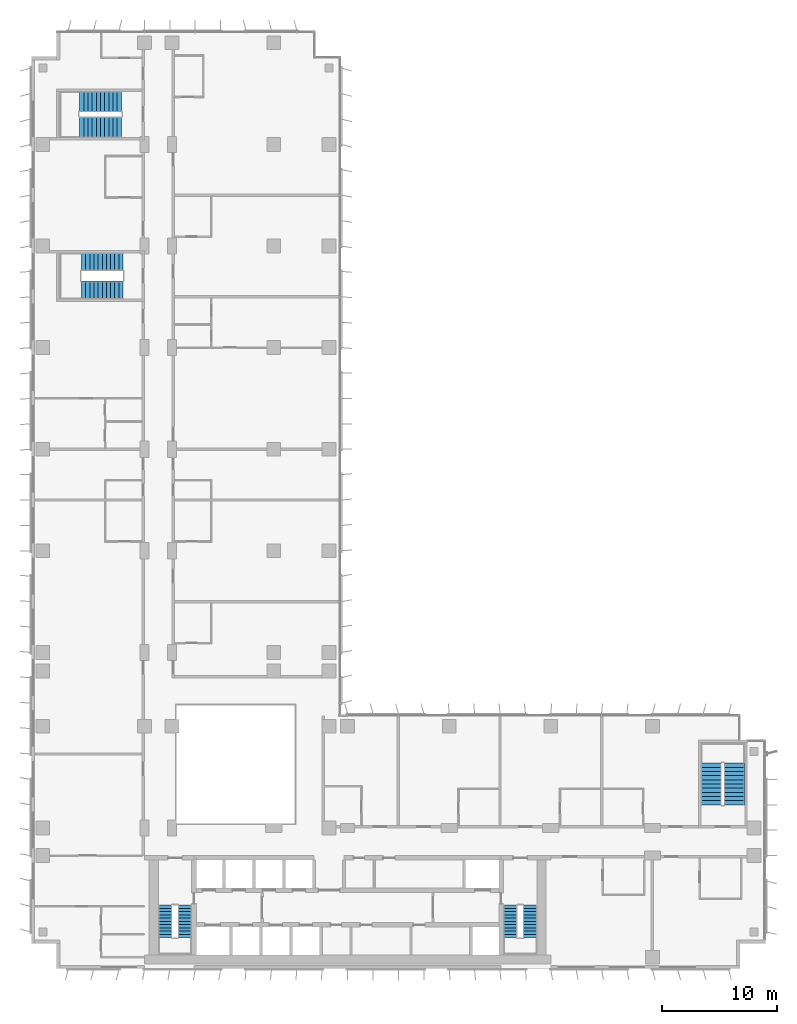
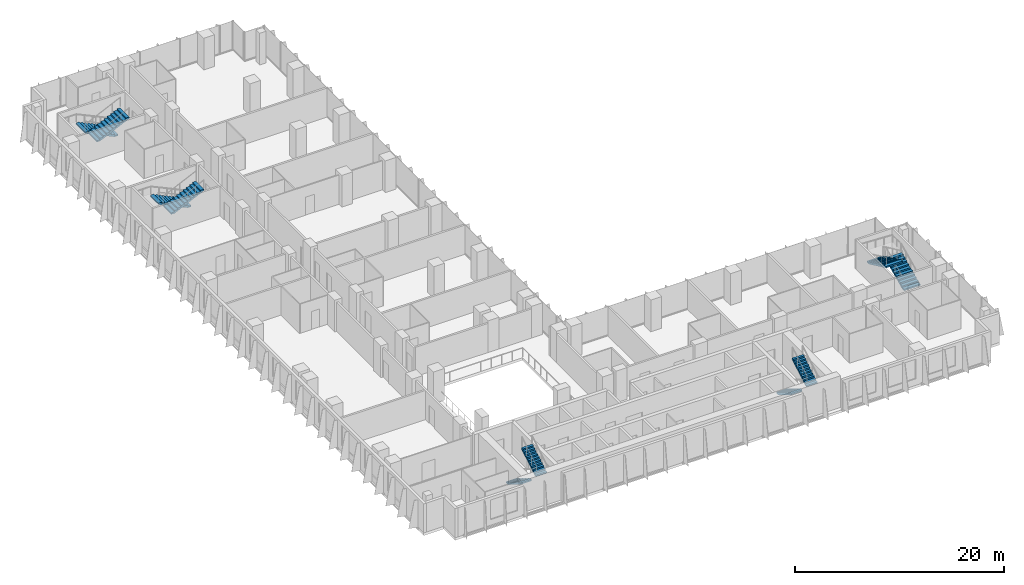
# One storey, part 18 of 22: 10 stair flights, 5 elements without a shape of their own.
"""IFC4 building model written with IfcOpenShell, lengths in metres."""

from ifc_helpers import new_model, si_unit, direction, frame, origin, place, context, subcontext, project, spatial, polyline, outline, extrude, material, type_object, element, aggregate, save


model = new_model("IFC4")

# Units and contexts
model_context = context("Model", 3, precision=1e-05, world=origin(), true_north=direction((0.0, 1.0)))
body_context = subcontext(model_context, "Body", "Model", "MODEL_VIEW")
ifc_project = project(units=[si_unit("LENGTHUNIT", "METRE"), si_unit("AREAUNIT", "SQUARE_METRE"), si_unit("VOLUMEUNIT", "CUBIC_METRE"), si_unit("PLANEANGLEUNIT", "RADIAN"), si_unit("MASSUNIT", "GRAM", prefix="KILO")], contexts=[model_context])

# Site, building, storey
site_placement = place(None, origin())
site = spatial("IfcSite", under=ifc_project, at=site_placement, CompositionType="ELEMENT")
building_placement = place(site_placement, origin())
building = spatial("IfcBuilding", under=site, at=building_placement, Name="Kemantara Hotel Tower", CompositionType="ELEMENT")
storey_placement = place(building_placement, frame((0.0, 0.0, 122.199951171875)))
storey = spatial("IfcBuildingStorey", under=building, at=storey_placement, Name="L29", CompositionType="ELEMENT", Elevation=122.199951171875)

# Stair, stair flights
ifc_material = material(Name="Concrete fc 40 MPa", Category="concrete")
stair_type_1 = type_object("IfcStairType", Name="Stair 1200 wide 22 risers of 168 x 280 mm", PredefinedType="HALF_TURN_STAIR", material=ifc_material)
stair_1_placement = place(storey_placement, origin())
stair_1 = element("IfcStair", 1, at=stair_1_placement, inside=storey, type_object=stair_type_1, Name="L29 Exit stair ST1", PredefinedType="HALF_TURN_STAIR")
stair_flight_type_1 = type_object("IfcStairFlightType", Name="Stair flight 1200 wide 168 x 280 mm", PredefinedType="STRAIGHT", material=ifc_material)
stair_flight_1_placement = place(storey_placement, frame((11.60009765625, 5.5, 0.0), z_axis=(0.0, 0.0, 1.0), x_axis=(0.0, -1.0, 0.0)))
stair_flight_1 = element("IfcStairFlight", 2, at=stair_flight_1_placement, type_object=stair_flight_type_1, Name="ST1 flight 1", NumberOfRisers=11, NumberOfTreads=10, PredefinedType="STRAIGHT", RiserHeight=0.168181818, TreadLength=0.28, context=body_context, shape_type="SweptSolid", body=[
    extrude(outline(polyline([(0.0, 0.0), (0.0, 0.168212890625), (0.280029296875, 0.168212890625), (0.280029296875, 0.33642578125), (0.56005859375, 0.33642578125), (0.56005859375, 0.504638671875), (0.840087890625, 0.504638671875), (0.840087890625, 0.672607421875), (1.1201171875, 0.672607421875), (1.1201171875, 0.8408203125), (1.39990234375, 0.8408203125), (1.39990234375, 1.009033203125), (1.679931640625, 1.009033203125), (1.679931640625, 1.17724609375), (1.9599609375, 1.17724609375), (1.9599609375, 1.345458984375), (2.239990234375, 1.345458984375), (2.239990234375, 1.513671875), (2.52001953125, 1.513671875), (2.52001953125, 1.681884765625), (2.800048828125, 1.681884765625), (2.800048828125, 1.85009765625), (2.800048828125, 1.5068359375), (0.291015625, 0.0), (0.0, 0.0)])), frame((0.0, 0.60009765625, 0.0), z_axis=(0.0, -1.0, 0.0), x_axis=(1.0, 0.0, 0.0)), (0.0, 0.0, 1.0), 1.199951171875),
])
stair_flight_2_placement = place(storey_placement, frame((13.300048828125, 2.699951171875, 1.85009765625), z_axis=(0.0, 0.0, 1.0), x_axis=(0.0, 1.0, 0.0)))
stair_flight_2 = element("IfcStairFlight", 3, at=stair_flight_2_placement, type_object=stair_flight_type_1, Name="ST1 flight 2", NumberOfRisers=11, NumberOfTreads=10, PredefinedType="STRAIGHT", RiserHeight=0.168181818, TreadLength=0.28, context=body_context, shape_type="SweptSolid", body=[
    extrude(outline(polyline([(0.0, 0.0), (0.0, 0.168212890625), (0.280029296875, 0.168212890625), (0.280029296875, 0.33642578125), (0.56005859375, 0.33642578125), (0.56005859375, 0.504638671875), (0.840087890625, 0.504638671875), (0.840087890625, 0.672607421875), (1.1201171875, 0.672607421875), (1.1201171875, 0.8408203125), (1.39990234375, 0.8408203125), (1.39990234375, 1.009033203125), (1.679931640625, 1.009033203125), (1.679931640625, 1.17724609375), (1.9599609375, 1.17724609375), (1.9599609375, 1.345458984375), (2.239990234375, 1.345458984375), (2.239990234375, 1.513671875), (2.52001953125, 1.513671875), (2.52001953125, 1.681884765625), (2.800048828125, 1.681884765625), (2.800048828125, 1.85009765625), (2.800048828125, 1.5068359375), (0.291015625, 0.0), (0.0, 0.0)])), frame((0.0, 0.60009765625, 0.0), z_axis=(0.0, -1.0, 0.0), x_axis=(1.0, 0.0, 0.0)), (0.0, 0.0, 1.0), 1.199951171875),
])
aggregate(stair_1, [stair_flight_1, stair_flight_2])

stair_2_placement = place(storey_placement, origin())
stair_2 = element("IfcStair", 4, at=stair_2_placement, inside=storey, type_object=stair_type_1, Name="L29 Exit stair ST2", PredefinedType="HALF_TURN_STAIR")
stair_flight_3_placement = place(storey_placement, frame((41.5, 5.5, 0.0), z_axis=(0.0, 0.0, 1.0), x_axis=(0.0, -1.0, 0.0)))
stair_flight_3 = element("IfcStairFlight", 5, at=stair_flight_3_placement, type_object=stair_flight_type_1, Name="ST2 flight 1", NumberOfRisers=11, NumberOfTreads=10, PredefinedType="STRAIGHT", RiserHeight=0.168181818, TreadLength=0.28, context=body_context, shape_type="SweptSolid", body=[
    extrude(outline(polyline([(0.0, 0.0), (0.0, 0.168212890625), (0.280029296875, 0.168212890625), (0.280029296875, 0.33642578125), (0.56005859375, 0.33642578125), (0.56005859375, 0.504638671875), (0.840087890625, 0.504638671875), (0.840087890625, 0.672607421875), (1.1201171875, 0.672607421875), (1.1201171875, 0.8408203125), (1.39990234375, 0.8408203125), (1.39990234375, 1.009033203125), (1.679931640625, 1.009033203125), (1.679931640625, 1.17724609375), (1.9599609375, 1.17724609375), (1.9599609375, 1.345458984375), (2.239990234375, 1.345458984375), (2.239990234375, 1.513671875), (2.52001953125, 1.513671875), (2.52001953125, 1.681884765625), (2.800048828125, 1.681884765625), (2.800048828125, 1.85009765625), (2.800048828125, 1.5068359375), (0.291015625, 0.0), (0.0, 0.0)])), frame((0.0, 0.60009765625, 0.0), z_axis=(0.0, -1.0, 0.0), x_axis=(1.0, 0.0, 0.0)), (0.0, 0.0, 1.0), 1.199951171875),
])
stair_flight_4_placement = place(storey_placement, frame((43.199951171875, 2.699951171875, 1.85009765625), z_axis=(0.0, 0.0, 1.0), x_axis=(0.0, 1.0, 0.0)))
stair_flight_4 = element("IfcStairFlight", 6, at=stair_flight_4_placement, type_object=stair_flight_type_1, Name="ST2 flight 2", NumberOfRisers=11, NumberOfTreads=10, PredefinedType="STRAIGHT", RiserHeight=0.168181818, TreadLength=0.28, context=body_context, shape_type="SweptSolid", body=[
    extrude(outline(polyline([(0.0, 0.0), (0.0, 0.168212890625), (0.280029296875, 0.168212890625), (0.280029296875, 0.33642578125), (0.56005859375, 0.33642578125), (0.56005859375, 0.504638671875), (0.840087890625, 0.504638671875), (0.840087890625, 0.672607421875), (1.1201171875, 0.672607421875), (1.1201171875, 0.8408203125), (1.39990234375, 0.8408203125), (1.39990234375, 1.009033203125), (1.679931640625, 1.009033203125), (1.679931640625, 1.17724609375), (1.9599609375, 1.17724609375), (1.9599609375, 1.345458984375), (2.239990234375, 1.345458984375), (2.239990234375, 1.513671875), (2.52001953125, 1.513671875), (2.52001953125, 1.681884765625), (2.800048828125, 1.681884765625), (2.800048828125, 1.85009765625), (2.800048828125, 1.5068359375), (0.291015625, 0.0), (0.0, 0.0)])), frame((0.0, 0.60009765625, 0.0), z_axis=(0.0, -1.0, 0.0), x_axis=(1.0, 0.0, 0.0)), (0.0, 0.0, 1.0), 1.199951171875),
])
aggregate(stair_2, [stair_flight_3, stair_flight_4])

stair_type_2 = type_object("IfcStairType", Name="Stair 1550 wide 22 risers of 168 x 360 mm", PredefinedType="HALF_TURN_STAIR", material=ifc_material)
stair_3_placement = place(storey_placement, origin())
stair_3 = element("IfcStair", 7, at=stair_3_placement, inside=storey, type_object=stair_type_2, Name="L29 Exit stair ST4", PredefinedType="HALF_TURN_STAIR")
stair_flight_type_2 = type_object("IfcStairFlightType", Name="Stair flight 1550 wide 168 x 360 mm", PredefinedType="STRAIGHT", material=ifc_material)
stair_flight_5_placement = place(storey_placement, frame((7.949951171875, 61.22509765625, 0.0), z_axis=(0.0, 0.0, 1.0), x_axis=(-1.0, 0.0, 0.0)))
stair_flight_5 = element("IfcStairFlight", 8, at=stair_flight_5_placement, type_object=stair_flight_type_2, Name="ST4 flight 1", NumberOfRisers=11, NumberOfTreads=10, PredefinedType="STRAIGHT", RiserHeight=0.168181818, TreadLength=0.36, context=body_context, shape_type="SweptSolid", body=[
    extrude(outline(polyline([(0.0, 0.0), (0.0, 0.168212890625), (0.360107421875, 0.168212890625), (0.360107421875, 0.33642578125), (0.719970703125, 0.33642578125), (0.719970703125, 0.504638671875), (1.080078125, 0.504638671875), (1.080078125, 0.672607421875), (1.43994140625, 0.672607421875), (1.43994140625, 0.8408203125), (1.800048828125, 0.8408203125), (1.800048828125, 1.009033203125), (2.159912109375, 1.009033203125), (2.159912109375, 1.17724609375), (2.52001953125, 1.17724609375), (2.52001953125, 1.345458984375), (2.8798828125, 1.345458984375), (2.8798828125, 1.513671875), (3.239990234375, 1.513671875), (3.239990234375, 1.681884765625), (3.60009765625, 1.681884765625), (3.60009765625, 1.85009765625), (3.60009765625, 1.516357421875), (0.354248046875, 0.0), (0.0, 0.0)])), frame((0.0, 0.77490234375, 0.0), z_axis=(0.0, -1.0, 0.0), x_axis=(1.0, 0.0, 0.0)), (0.0, 0.0, 1.0), 1.550048828125),
])
stair_flight_6_placement = place(storey_placement, frame((4.35009765625, 58.77490234375, 1.85009765625), z_axis=(0.0, 0.0, 1.0), x_axis=(1.0, 0.0, 0.0)))
stair_flight_6 = element("IfcStairFlight", 9, at=stair_flight_6_placement, type_object=stair_flight_type_2, Name="ST4 flight 2", NumberOfRisers=11, NumberOfTreads=10, PredefinedType="STRAIGHT", RiserHeight=0.168181818, TreadLength=0.36, context=body_context, shape_type="SweptSolid", body=[
    extrude(outline(polyline([(0.0, 0.0), (0.0, 0.168212890625), (0.360107421875, 0.168212890625), (0.360107421875, 0.33642578125), (0.719970703125, 0.33642578125), (0.719970703125, 0.504638671875), (1.080078125, 0.504638671875), (1.080078125, 0.672607421875), (1.43994140625, 0.672607421875), (1.43994140625, 0.8408203125), (1.800048828125, 0.8408203125), (1.800048828125, 1.009033203125), (2.159912109375, 1.009033203125), (2.159912109375, 1.17724609375), (2.52001953125, 1.17724609375), (2.52001953125, 1.345458984375), (2.8798828125, 1.345458984375), (2.8798828125, 1.513671875), (3.239990234375, 1.513671875), (3.239990234375, 1.681884765625), (3.60009765625, 1.681884765625), (3.60009765625, 1.85009765625), (3.60009765625, 1.516357421875), (0.354248046875, 0.0), (0.0, 0.0)])), frame((0.0, 0.77490234375, 0.0), z_axis=(0.0, -1.0, 0.0), x_axis=(1.0, 0.0, 0.0)), (0.0, 0.0, 1.0), 1.550048828125),
])
aggregate(stair_3, [stair_flight_5, stair_flight_6])

stair_type_3 = type_object("IfcStairType", Name="Stair 1800 wide 22 risers of 168 x 360 mm", PredefinedType="HALF_TURN_STAIR", material=ifc_material)
stair_4_placement = place(storey_placement, origin())
stair_4 = element("IfcStair", 10, at=stair_4_placement, inside=storey, type_object=stair_type_3, Name="L29 Exit stair ST3", PredefinedType="HALF_TURN_STAIR")
stair_flight_type_3 = type_object("IfcStairFlightType", Name="Stair flight 1800 wide 168 x 360 mm", PredefinedType="STRAIGHT", material=ifc_material)
stair_flight_7_placement = place(storey_placement, frame((60.89990234375, 14.199951171875, 0.0), z_axis=(0.0, 0.0, 1.0), x_axis=(0.0, 1.0, 0.0)))
stair_flight_7 = element("IfcStairFlight", 11, at=stair_flight_7_placement, type_object=stair_flight_type_3, Name="ST3 flight 1", NumberOfRisers=11, NumberOfTreads=10, PredefinedType="STRAIGHT", RiserHeight=0.168181818, TreadLength=0.36, context=body_context, shape_type="SweptSolid", body=[
    extrude(outline(polyline([(0.0, 0.0), (0.0, 0.168212890625), (0.360107421875, 0.168212890625), (0.360107421875, 0.33642578125), (0.719970703125, 0.33642578125), (0.719970703125, 0.504638671875), (1.080078125, 0.504638671875), (1.080078125, 0.672607421875), (1.43994140625, 0.672607421875), (1.43994140625, 0.8408203125), (1.800048828125, 0.8408203125), (1.800048828125, 1.009033203125), (2.159912109375, 1.009033203125), (2.159912109375, 1.17724609375), (2.52001953125, 1.17724609375), (2.52001953125, 1.345458984375), (2.8798828125, 1.345458984375), (2.8798828125, 1.513671875), (3.239990234375, 1.513671875), (3.239990234375, 1.681884765625), (3.60009765625, 1.681884765625), (3.60009765625, 1.85009765625), (3.60009765625, 1.516357421875), (0.354248046875, 0.0), (0.0, 0.0)])), frame((0.0, 0.89990234375, 0.0), z_axis=(0.0, -1.0, 0.0), x_axis=(1.0, 0.0, 0.0)), (0.0, 0.0, 1.0), 1.800048828125),
])
stair_flight_8_placement = place(storey_placement, frame((58.89990234375, 17.800048828125, 1.85009765625), z_axis=(0.0, 0.0, 1.0), x_axis=(0.0, -1.0, 0.0)))
stair_flight_8 = element("IfcStairFlight", 12, at=stair_flight_8_placement, type_object=stair_flight_type_3, Name="ST3 flight 2", NumberOfRisers=11, NumberOfTreads=10, PredefinedType="STRAIGHT", RiserHeight=0.168181818, TreadLength=0.36, context=body_context, shape_type="SweptSolid", body=[
    extrude(outline(polyline([(0.0, 0.0), (0.0, 0.168212890625), (0.360107421875, 0.168212890625), (0.360107421875, 0.33642578125), (0.719970703125, 0.33642578125), (0.719970703125, 0.504638671875), (1.080078125, 0.504638671875), (1.080078125, 0.672607421875), (1.43994140625, 0.672607421875), (1.43994140625, 0.8408203125), (1.800048828125, 0.8408203125), (1.800048828125, 1.009033203125), (2.159912109375, 1.009033203125), (2.159912109375, 1.17724609375), (2.52001953125, 1.17724609375), (2.52001953125, 1.345458984375), (2.8798828125, 1.345458984375), (2.8798828125, 1.513671875), (3.239990234375, 1.513671875), (3.239990234375, 1.681884765625), (3.60009765625, 1.681884765625), (3.60009765625, 1.85009765625), (3.60009765625, 1.516357421875), (0.354248046875, 0.0), (0.0, 0.0)])), frame((0.0, 0.89990234375, 0.0), z_axis=(0.0, -1.0, 0.0), x_axis=(1.0, 0.0, 0.0)), (0.0, 0.0, 1.0), 1.800048828125),
])
aggregate(stair_4, [stair_flight_7, stair_flight_8])

stair_5_placement = place(storey_placement, origin())
stair_5 = element("IfcStair", 13, at=stair_5_placement, inside=storey, type_object=stair_type_3, Name="L29 Exit stair ST6", PredefinedType="HALF_TURN_STAIR")
stair_flight_9_placement = place(storey_placement, frame((7.800048828125, 75.10009765625, 0.0), z_axis=(0.0, 0.0, 1.0), x_axis=(-1.0, 0.0, 0.0)))
stair_flight_9 = element("IfcStairFlight", 14, at=stair_flight_9_placement, type_object=stair_flight_type_3, Name="ST6 flight 1", NumberOfRisers=11, NumberOfTreads=10, PredefinedType="STRAIGHT", RiserHeight=0.168181818, TreadLength=0.36, context=body_context, shape_type="SweptSolid", body=[
    extrude(outline(polyline([(0.0, 0.0), (0.0, 0.168212890625), (0.360107421875, 0.168212890625), (0.360107421875, 0.33642578125), (0.719970703125, 0.33642578125), (0.719970703125, 0.504638671875), (1.080078125, 0.504638671875), (1.080078125, 0.672607421875), (1.43994140625, 0.672607421875), (1.43994140625, 0.8408203125), (1.800048828125, 0.8408203125), (1.800048828125, 1.009033203125), (2.159912109375, 1.009033203125), (2.159912109375, 1.17724609375), (2.52001953125, 1.17724609375), (2.52001953125, 1.345458984375), (2.8798828125, 1.345458984375), (2.8798828125, 1.513671875), (3.239990234375, 1.513671875), (3.239990234375, 1.681884765625), (3.60009765625, 1.681884765625), (3.60009765625, 1.85009765625), (3.60009765625, 1.516357421875), (0.354248046875, 0.0), (0.0, 0.0)])), frame((0.0, 0.89990234375, 0.0), z_axis=(0.0, -1.0, 0.0), x_axis=(1.0, 0.0, 0.0)), (0.0, 0.0, 1.0), 1.800048828125),
])
stair_flight_10_placement = place(storey_placement, frame((4.199951171875, 72.89990234375, 1.85009765625), z_axis=(0.0, 0.0, 1.0), x_axis=(1.0, 0.0, 0.0)))
stair_flight_10 = element("IfcStairFlight", 15, at=stair_flight_10_placement, type_object=stair_flight_type_3, Name="ST6 flight 2", NumberOfRisers=11, NumberOfTreads=10, PredefinedType="STRAIGHT", RiserHeight=0.168181818, TreadLength=0.36, context=body_context, shape_type="SweptSolid", body=[
    extrude(outline(polyline([(0.0, 0.0), (0.0, 0.168212890625), (0.360107421875, 0.168212890625), (0.360107421875, 0.33642578125), (0.719970703125, 0.33642578125), (0.719970703125, 0.504638671875), (1.080078125, 0.504638671875), (1.080078125, 0.672607421875), (1.43994140625, 0.672607421875), (1.43994140625, 0.8408203125), (1.800048828125, 0.8408203125), (1.800048828125, 1.009033203125), (2.159912109375, 1.009033203125), (2.159912109375, 1.17724609375), (2.52001953125, 1.17724609375), (2.52001953125, 1.345458984375), (2.8798828125, 1.345458984375), (2.8798828125, 1.513671875), (3.239990234375, 1.513671875), (3.239990234375, 1.681884765625), (3.60009765625, 1.681884765625), (3.60009765625, 1.85009765625), (3.60009765625, 1.516357421875), (0.354248046875, 0.0), (0.0, 0.0)])), frame((0.0, 0.89990234375, 0.0), z_axis=(0.0, -1.0, 0.0), x_axis=(1.0, 0.0, 0.0)), (0.0, 0.0, 1.0), 1.800048828125),
])
aggregate(stair_5, [stair_flight_9, stair_flight_10])

save(model, "model.ifc")
